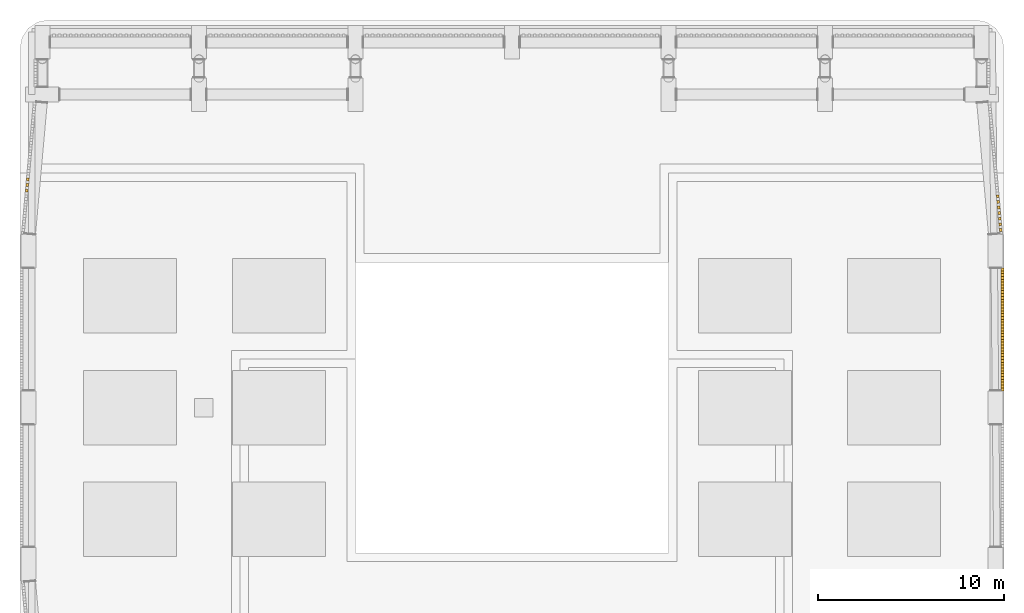
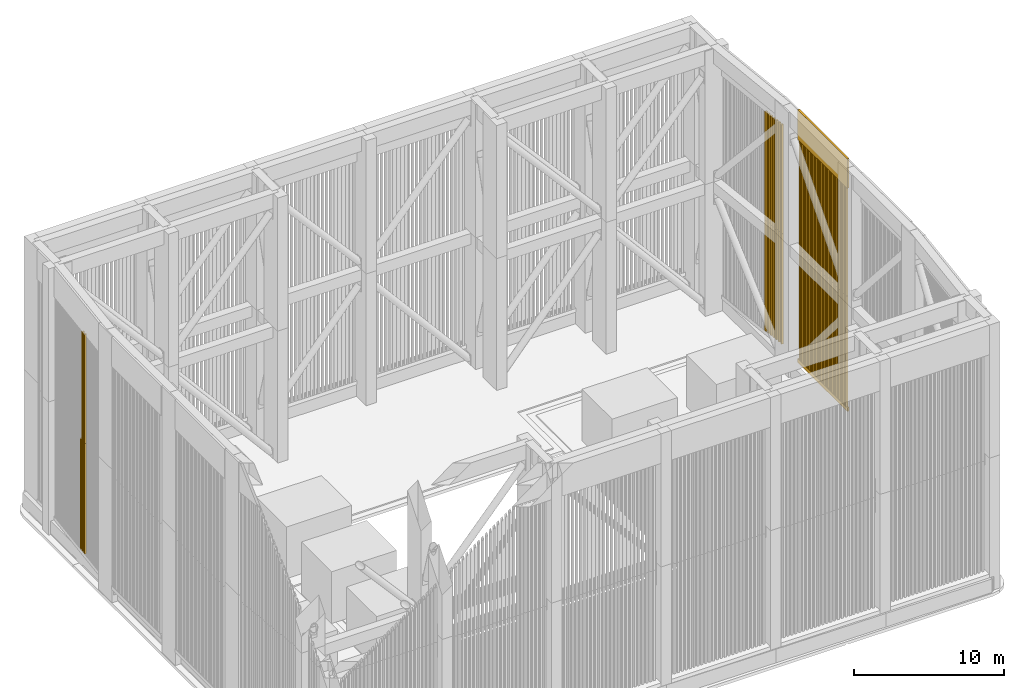
# One storey, part 19 of 27: 61 shading devices, 2 coverings.
"""IFC4 building model written with IfcOpenShell, lengths in metres."""

from ifc_helpers import new_model, si_unit, direction, frame, origin, origin_2d, place, context, subcontext, project, spatial, rectangle, extrude, material, layer, layer_set, type_object, element, save


model = new_model("IFC4")

# Units and contexts
model_context = context("Model", 3, precision=1e-05, world=origin(), true_north=direction((0.0, 1.0)))
body_context = subcontext(model_context, "Body", "Model", "MODEL_VIEW")
ifc_project = project(units=[si_unit("LENGTHUNIT", "METRE"), si_unit("AREAUNIT", "SQUARE_METRE"), si_unit("VOLUMEUNIT", "CUBIC_METRE"), si_unit("PLANEANGLEUNIT", "RADIAN"), si_unit("MASSUNIT", "GRAM", prefix="KILO")], contexts=[model_context])

# Site, building, storey
site_placement = place(None, origin())
site = spatial("IfcSite", under=ifc_project, at=site_placement, CompositionType="ELEMENT")
building_placement = place(site_placement, origin())
building = spatial("IfcBuilding", under=site, at=building_placement, Name="Claustro Exchange Tower", CompositionType="ELEMENT")
storey_placement = place(building_placement, frame((0.0, 0.0, 287.10009765625)))
storey = spatial("IfcBuildingStorey", under=building, at=storey_placement, Name="ROOF", CompositionType="ELEMENT", Elevation=287.10009765625)

# Coverings
ifc_material_1 = material(Name="Concrete HA-40 (C40/50), precast, white cement, acid-etched", Category="concrete")
ifc_layer = layer(ifc_material_1, 0.14990234375)
ifc_layer_set = layer_set([ifc_layer], Name="Concrete HA-40 (C40/50), precast, white cement, acid-etched")
covering_type = type_object("IfcCoveringType", Name="CC1 150 precast concrete crown moulding", PredefinedType="MOLDING", material=ifc_layer_set)
covering_1_placement = place(storey_placement, frame((51.525390625, 29.39990234375, 1.10009765625), z_axis=(0.0, 0.0, 1.0), x_axis=(0.0, 1.0, 0.0)))
element("IfcCovering", 1, at=covering_1_placement, inside=storey, type_object=covering_type, Name="CROWN SILL CC1 7+750/D - 7+750/E", PredefinedType="MOLDING", context=body_context, shape_type="SweptSolid", body=[
    extrude(rectangle(XDim=6.59912109375, YDim=0.14990234375, at=origin_2d()), origin(), (0.0, 0.0, 1.0), 0.300048828125),
])
covering_2_placement = place(storey_placement, frame((51.525390625, 29.39990234375, 19.199951171875), z_axis=(0.0, 0.0, 1.0), x_axis=(0.0, 1.0, 0.0)))
element("IfcCovering", 2, at=covering_2_placement, inside=storey, type_object=covering_type, Name="CROWN CORNICE CC1 7+750/D - 7+750/E", PredefinedType="MOLDING", context=body_context, shape_type="SweptSolid", body=[
    extrude(rectangle(XDim=6.59912109375, YDim=0.14990234375, at=origin_2d()), origin(), (0.0, 0.0, 1.0), 2.39990234375),
])

# Shading devices
ifc_material_2 = material(Name="Concrete HA-40 (C40/50), precast, white cement, acid-etched", Category="concrete")
shading_device_type = type_object("IfcShadingDeviceType", Name="LV1 150 x 150 precast concrete crown louvre", PredefinedType="USERDEFINED", material=ifc_material_2)
shading_device_1_placement = place(storey_placement, frame((-0.83740234375, 36.84423828125, 1.39990234375), z_axis=(0.0, 0.0, 1.0), x_axis=(0.088932542032, 0.996037651381, 0.0)))
element("IfcShadingDevice", 3, at=shading_device_1_placement, inside=storey, type_object=shading_device_type, Name="CROWN LOUVRE LV1 1+-750/E - 1/F 08 lower", ObjectType="CROWN LOUVRE", PredefinedType="USERDEFINED", context=body_context, shape_type="SweptSolid", body=[
    extrude(rectangle(XDim=0.14990234375, YDim=0.14990234375, at=origin_2d()), origin(), (0.0, 0.0, 1.0), 8.949951171875),
])
shading_device_2_placement = place(storey_placement, frame((-0.83740234375, 36.84423828125, 10.349853515625), z_axis=(0.0, 0.0, 1.0), x_axis=(0.088932542032, 0.996037651381, 0.0)))
element("IfcShadingDevice", 4, at=shading_device_2_placement, inside=storey, type_object=shading_device_type, Name="CROWN LOUVRE LV1 1+-750/E - 1/F 08 upper", ObjectType="CROWN LOUVRE", PredefinedType="USERDEFINED", context=body_context, shape_type="SweptSolid", body=[
    extrude(rectangle(XDim=0.14990234375, YDim=0.14990234375, at=origin_2d()), origin(), (0.0, 0.0, 1.0), 8.85009765625),
])
shading_device_3_placement = place(storey_placement, frame((-0.810302734375, 37.1455078125, 1.39990234375), z_axis=(0.0, 0.0, 1.0), x_axis=(0.088932542032, 0.996037651381, 0.0)))
element("IfcShadingDevice", 5, at=shading_device_3_placement, inside=storey, type_object=shading_device_type, Name="CROWN LOUVRE LV1 1+-750/E - 1/F 09 lower", ObjectType="CROWN LOUVRE", PredefinedType="USERDEFINED", context=body_context, shape_type="SweptSolid", body=[
    extrude(rectangle(XDim=0.14990234375, YDim=0.14990234375, at=origin_2d()), origin(), (0.0, 0.0, 1.0), 8.949951171875),
])
shading_device_4_placement = place(storey_placement, frame((-0.810302734375, 37.1455078125, 10.349853515625), z_axis=(0.0, 0.0, 1.0), x_axis=(0.088932542032, 0.996037651381, 0.0)))
element("IfcShadingDevice", 6, at=shading_device_4_placement, inside=storey, type_object=shading_device_type, Name="CROWN LOUVRE LV1 1+-750/E - 1/F 09 upper", ObjectType="CROWN LOUVRE", PredefinedType="USERDEFINED", context=body_context, shape_type="SweptSolid", body=[
    extrude(rectangle(XDim=0.14990234375, YDim=0.14990234375, at=origin_2d()), origin(), (0.0, 0.0, 1.0), 8.85009765625),
])
for number, where, z_axis, x_axis, name in (
    (7, (-0.783447265625, 37.447021484375, 1.39990234375), (0.0, 0.0, 1.0), (0.088932542032, 0.996037651381, 0.0), "CROWN LOUVRE LV1 1+-750/E - 1/F 10 lower"),
    (8, (51.525390625, 26.332275390625, 1.39990234375), (0.0, 0.0, 1.0), (0.0, 1.0, 0.0), "CROWN LOUVRE LV1 7+750/D - 7+750/E 01 lower"),
):
    element("IfcShadingDevice", number, at=place(storey_placement, frame(where, z_axis=z_axis, x_axis=x_axis)), inside=storey, type_object=shading_device_type, Name=name, ObjectType="CROWN LOUVRE", PredefinedType="USERDEFINED", context=body_context, shape_type="SweptSolid", body=[
        extrude(rectangle(XDim=0.14990234375, YDim=0.14990234375, at=origin_2d()), origin(), (0.0, 0.0, 1.0), 8.949951171875),
    ])
shading_device_5_placement = place(storey_placement, frame((51.525390625, 26.332275390625, 10.349853515625), z_axis=(0.0, 0.0, 1.0), x_axis=(0.0, 1.0, 0.0)))
element("IfcShadingDevice", 9, at=shading_device_5_placement, inside=storey, type_object=shading_device_type, Name="CROWN LOUVRE LV1 7+750/D - 7+750/E 01 upper", ObjectType="CROWN LOUVRE", PredefinedType="USERDEFINED", context=body_context, shape_type="SweptSolid", body=[
    extrude(rectangle(XDim=0.14990234375, YDim=0.14990234375, at=origin_2d()), origin(), (0.0, 0.0, 1.0), 8.85009765625),
])
shading_device_6_placement = place(storey_placement, frame((51.525390625, 26.638916015625, 1.39990234375), z_axis=(0.0, 0.0, 1.0), x_axis=(0.0, 1.0, 0.0)))
element("IfcShadingDevice", 10, at=shading_device_6_placement, inside=storey, type_object=shading_device_type, Name="CROWN LOUVRE LV1 7+750/D - 7+750/E 02 lower", ObjectType="CROWN LOUVRE", PredefinedType="USERDEFINED", context=body_context, shape_type="SweptSolid", body=[
    extrude(rectangle(XDim=0.14990234375, YDim=0.14990234375, at=origin_2d()), origin(), (0.0, 0.0, 1.0), 8.949951171875),
])
shading_device_7_placement = place(storey_placement, frame((51.525390625, 26.638916015625, 10.349853515625), z_axis=(0.0, 0.0, 1.0), x_axis=(0.0, 1.0, 0.0)))
element("IfcShadingDevice", 11, at=shading_device_7_placement, inside=storey, type_object=shading_device_type, Name="CROWN LOUVRE LV1 7+750/D - 7+750/E 02 upper", ObjectType="CROWN LOUVRE", PredefinedType="USERDEFINED", context=body_context, shape_type="SweptSolid", body=[
    extrude(rectangle(XDim=0.14990234375, YDim=0.14990234375, at=origin_2d()), origin(), (0.0, 0.0, 1.0), 8.85009765625),
])
shading_device_8_placement = place(storey_placement, frame((51.525390625, 26.94580078125, 1.39990234375), z_axis=(0.0, 0.0, 1.0), x_axis=(0.0, 1.0, 0.0)))
element("IfcShadingDevice", 12, at=shading_device_8_placement, inside=storey, type_object=shading_device_type, Name="CROWN LOUVRE LV1 7+750/D - 7+750/E 03 lower", ObjectType="CROWN LOUVRE", PredefinedType="USERDEFINED", context=body_context, shape_type="SweptSolid", body=[
    extrude(rectangle(XDim=0.14990234375, YDim=0.14990234375, at=origin_2d()), origin(), (0.0, 0.0, 1.0), 8.949951171875),
])
shading_device_9_placement = place(storey_placement, frame((51.525390625, 26.94580078125, 10.349853515625), z_axis=(0.0, 0.0, 1.0), x_axis=(0.0, 1.0, 0.0)))
element("IfcShadingDevice", 13, at=shading_device_9_placement, inside=storey, type_object=shading_device_type, Name="CROWN LOUVRE LV1 7+750/D - 7+750/E 03 upper", ObjectType="CROWN LOUVRE", PredefinedType="USERDEFINED", context=body_context, shape_type="SweptSolid", body=[
    extrude(rectangle(XDim=0.14990234375, YDim=0.14990234375, at=origin_2d()), origin(), (0.0, 0.0, 1.0), 8.85009765625),
])
shading_device_10_placement = place(storey_placement, frame((51.525390625, 27.252685546875, 1.39990234375), z_axis=(0.0, 0.0, 1.0), x_axis=(0.0, 1.0, 0.0)))
element("IfcShadingDevice", 14, at=shading_device_10_placement, inside=storey, type_object=shading_device_type, Name="CROWN LOUVRE LV1 7+750/D - 7+750/E 04 lower", ObjectType="CROWN LOUVRE", PredefinedType="USERDEFINED", context=body_context, shape_type="SweptSolid", body=[
    extrude(rectangle(XDim=0.14990234375, YDim=0.14990234375, at=origin_2d()), origin(), (0.0, 0.0, 1.0), 8.949951171875),
])
shading_device_11_placement = place(storey_placement, frame((51.525390625, 27.252685546875, 10.349853515625), z_axis=(0.0, 0.0, 1.0), x_axis=(0.0, 1.0, 0.0)))
element("IfcShadingDevice", 15, at=shading_device_11_placement, inside=storey, type_object=shading_device_type, Name="CROWN LOUVRE LV1 7+750/D - 7+750/E 04 upper", ObjectType="CROWN LOUVRE", PredefinedType="USERDEFINED", context=body_context, shape_type="SweptSolid", body=[
    extrude(rectangle(XDim=0.14990234375, YDim=0.14990234375, at=origin_2d()), origin(), (0.0, 0.0, 1.0), 8.85009765625),
])
shading_device_12_placement = place(storey_placement, frame((51.525390625, 27.559326171875, 1.39990234375), z_axis=(0.0, 0.0, 1.0), x_axis=(0.0, 1.0, 0.0)))
element("IfcShadingDevice", 16, at=shading_device_12_placement, inside=storey, type_object=shading_device_type, Name="CROWN LOUVRE LV1 7+750/D - 7+750/E 05 lower", ObjectType="CROWN LOUVRE", PredefinedType="USERDEFINED", context=body_context, shape_type="SweptSolid", body=[
    extrude(rectangle(XDim=0.14990234375, YDim=0.14990234375, at=origin_2d()), origin(), (0.0, 0.0, 1.0), 8.949951171875),
])
shading_device_13_placement = place(storey_placement, frame((51.525390625, 27.559326171875, 10.349853515625), z_axis=(0.0, 0.0, 1.0), x_axis=(0.0, 1.0, 0.0)))
element("IfcShadingDevice", 17, at=shading_device_13_placement, inside=storey, type_object=shading_device_type, Name="CROWN LOUVRE LV1 7+750/D - 7+750/E 05 upper", ObjectType="CROWN LOUVRE", PredefinedType="USERDEFINED", context=body_context, shape_type="SweptSolid", body=[
    extrude(rectangle(XDim=0.14990234375, YDim=0.14990234375, at=origin_2d()), origin(), (0.0, 0.0, 1.0), 8.85009765625),
])
shading_device_14_placement = place(storey_placement, frame((51.525390625, 27.8662109375, 1.39990234375), z_axis=(0.0, 0.0, 1.0), x_axis=(0.0, 1.0, 0.0)))
element("IfcShadingDevice", 18, at=shading_device_14_placement, inside=storey, type_object=shading_device_type, Name="CROWN LOUVRE LV1 7+750/D - 7+750/E 06 lower", ObjectType="CROWN LOUVRE", PredefinedType="USERDEFINED", context=body_context, shape_type="SweptSolid", body=[
    extrude(rectangle(XDim=0.14990234375, YDim=0.14990234375, at=origin_2d()), origin(), (0.0, 0.0, 1.0), 8.949951171875),
])
shading_device_15_placement = place(storey_placement, frame((51.525390625, 27.8662109375, 10.349853515625), z_axis=(0.0, 0.0, 1.0), x_axis=(0.0, 1.0, 0.0)))
element("IfcShadingDevice", 19, at=shading_device_15_placement, inside=storey, type_object=shading_device_type, Name="CROWN LOUVRE LV1 7+750/D - 7+750/E 06 upper", ObjectType="CROWN LOUVRE", PredefinedType="USERDEFINED", context=body_context, shape_type="SweptSolid", body=[
    extrude(rectangle(XDim=0.14990234375, YDim=0.14990234375, at=origin_2d()), origin(), (0.0, 0.0, 1.0), 8.85009765625),
])
shading_device_16_placement = place(storey_placement, frame((51.525390625, 28.1728515625, 1.39990234375), z_axis=(0.0, 0.0, 1.0), x_axis=(0.0, 1.0, 0.0)))
element("IfcShadingDevice", 20, at=shading_device_16_placement, inside=storey, type_object=shading_device_type, Name="CROWN LOUVRE LV1 7+750/D - 7+750/E 07 lower", ObjectType="CROWN LOUVRE", PredefinedType="USERDEFINED", context=body_context, shape_type="SweptSolid", body=[
    extrude(rectangle(XDim=0.14990234375, YDim=0.14990234375, at=origin_2d()), origin(), (0.0, 0.0, 1.0), 8.949951171875),
])
shading_device_17_placement = place(storey_placement, frame((51.525390625, 28.1728515625, 10.349853515625), z_axis=(0.0, 0.0, 1.0), x_axis=(0.0, 1.0, 0.0)))
element("IfcShadingDevice", 21, at=shading_device_17_placement, inside=storey, type_object=shading_device_type, Name="CROWN LOUVRE LV1 7+750/D - 7+750/E 07 upper", ObjectType="CROWN LOUVRE", PredefinedType="USERDEFINED", context=body_context, shape_type="SweptSolid", body=[
    extrude(rectangle(XDim=0.14990234375, YDim=0.14990234375, at=origin_2d()), origin(), (0.0, 0.0, 1.0), 8.85009765625),
])
shading_device_18_placement = place(storey_placement, frame((51.525390625, 28.479736328125, 1.39990234375), z_axis=(0.0, 0.0, 1.0), x_axis=(0.0, 1.0, 0.0)))
element("IfcShadingDevice", 22, at=shading_device_18_placement, inside=storey, type_object=shading_device_type, Name="CROWN LOUVRE LV1 7+750/D - 7+750/E 08 lower", ObjectType="CROWN LOUVRE", PredefinedType="USERDEFINED", context=body_context, shape_type="SweptSolid", body=[
    extrude(rectangle(XDim=0.14990234375, YDim=0.14990234375, at=origin_2d()), origin(), (0.0, 0.0, 1.0), 8.949951171875),
])
shading_device_19_placement = place(storey_placement, frame((51.525390625, 28.479736328125, 10.349853515625), z_axis=(0.0, 0.0, 1.0), x_axis=(0.0, 1.0, 0.0)))
element("IfcShadingDevice", 23, at=shading_device_19_placement, inside=storey, type_object=shading_device_type, Name="CROWN LOUVRE LV1 7+750/D - 7+750/E 08 upper", ObjectType="CROWN LOUVRE", PredefinedType="USERDEFINED", context=body_context, shape_type="SweptSolid", body=[
    extrude(rectangle(XDim=0.14990234375, YDim=0.14990234375, at=origin_2d()), origin(), (0.0, 0.0, 1.0), 8.85009765625),
])
shading_device_20_placement = place(storey_placement, frame((51.525390625, 28.78662109375, 1.39990234375), z_axis=(0.0, 0.0, 1.0), x_axis=(0.0, 1.0, 0.0)))
element("IfcShadingDevice", 24, at=shading_device_20_placement, inside=storey, type_object=shading_device_type, Name="CROWN LOUVRE LV1 7+750/D - 7+750/E 09 lower", ObjectType="CROWN LOUVRE", PredefinedType="USERDEFINED", context=body_context, shape_type="SweptSolid", body=[
    extrude(rectangle(XDim=0.14990234375, YDim=0.14990234375, at=origin_2d()), origin(), (0.0, 0.0, 1.0), 8.949951171875),
])
shading_device_21_placement = place(storey_placement, frame((51.525390625, 28.78662109375, 10.349853515625), z_axis=(0.0, 0.0, 1.0), x_axis=(0.0, 1.0, 0.0)))
element("IfcShadingDevice", 25, at=shading_device_21_placement, inside=storey, type_object=shading_device_type, Name="CROWN LOUVRE LV1 7+750/D - 7+750/E 09 upper", ObjectType="CROWN LOUVRE", PredefinedType="USERDEFINED", context=body_context, shape_type="SweptSolid", body=[
    extrude(rectangle(XDim=0.14990234375, YDim=0.14990234375, at=origin_2d()), origin(), (0.0, 0.0, 1.0), 8.85009765625),
])
shading_device_22_placement = place(storey_placement, frame((51.525390625, 29.09326171875, 1.39990234375), z_axis=(0.0, 0.0, 1.0), x_axis=(0.0, 1.0, 0.0)))
element("IfcShadingDevice", 26, at=shading_device_22_placement, inside=storey, type_object=shading_device_type, Name="CROWN LOUVRE LV1 7+750/D - 7+750/E 10 lower", ObjectType="CROWN LOUVRE", PredefinedType="USERDEFINED", context=body_context, shape_type="SweptSolid", body=[
    extrude(rectangle(XDim=0.14990234375, YDim=0.14990234375, at=origin_2d()), origin(), (0.0, 0.0, 1.0), 8.949951171875),
])
shading_device_23_placement = place(storey_placement, frame((51.525390625, 29.09326171875, 10.349853515625), z_axis=(0.0, 0.0, 1.0), x_axis=(0.0, 1.0, 0.0)))
element("IfcShadingDevice", 27, at=shading_device_23_placement, inside=storey, type_object=shading_device_type, Name="CROWN LOUVRE LV1 7+750/D - 7+750/E 10 upper", ObjectType="CROWN LOUVRE", PredefinedType="USERDEFINED", context=body_context, shape_type="SweptSolid", body=[
    extrude(rectangle(XDim=0.14990234375, YDim=0.14990234375, at=origin_2d()), origin(), (0.0, 0.0, 1.0), 8.85009765625),
])
shading_device_24_placement = place(storey_placement, frame((51.525390625, 29.39990234375, 1.39990234375), z_axis=(0.0, 0.0, 1.0), x_axis=(0.0, 1.0, 0.0)))
element("IfcShadingDevice", 28, at=shading_device_24_placement, inside=storey, type_object=shading_device_type, Name="CROWN LOUVRE LV1 7+750/D - 7+750/E 11 lower", ObjectType="CROWN LOUVRE", PredefinedType="USERDEFINED", context=body_context, shape_type="SweptSolid", body=[
    extrude(rectangle(XDim=0.14990234375, YDim=0.14990234375, at=origin_2d()), origin(), (0.0, 0.0, 1.0), 8.949951171875),
])
shading_device_25_placement = place(storey_placement, frame((51.525390625, 29.39990234375, 10.349853515625), z_axis=(0.0, 0.0, 1.0), x_axis=(0.0, 1.0, 0.0)))
element("IfcShadingDevice", 29, at=shading_device_25_placement, inside=storey, type_object=shading_device_type, Name="CROWN LOUVRE LV1 7+750/D - 7+750/E 11 upper", ObjectType="CROWN LOUVRE", PredefinedType="USERDEFINED", context=body_context, shape_type="SweptSolid", body=[
    extrude(rectangle(XDim=0.14990234375, YDim=0.14990234375, at=origin_2d()), origin(), (0.0, 0.0, 1.0), 8.85009765625),
])
shading_device_26_placement = place(storey_placement, frame((51.525390625, 29.706787109375, 1.39990234375), z_axis=(0.0, 0.0, 1.0), x_axis=(0.0, 1.0, 0.0)))
element("IfcShadingDevice", 30, at=shading_device_26_placement, inside=storey, type_object=shading_device_type, Name="CROWN LOUVRE LV1 7+750/D - 7+750/E 12 lower", ObjectType="CROWN LOUVRE", PredefinedType="USERDEFINED", context=body_context, shape_type="SweptSolid", body=[
    extrude(rectangle(XDim=0.14990234375, YDim=0.14990234375, at=origin_2d()), origin(), (0.0, 0.0, 1.0), 8.949951171875),
])
shading_device_27_placement = place(storey_placement, frame((51.525390625, 29.706787109375, 10.349853515625), z_axis=(0.0, 0.0, 1.0), x_axis=(0.0, 1.0, 0.0)))
element("IfcShadingDevice", 31, at=shading_device_27_placement, inside=storey, type_object=shading_device_type, Name="CROWN LOUVRE LV1 7+750/D - 7+750/E 12 upper", ObjectType="CROWN LOUVRE", PredefinedType="USERDEFINED", context=body_context, shape_type="SweptSolid", body=[
    extrude(rectangle(XDim=0.14990234375, YDim=0.14990234375, at=origin_2d()), origin(), (0.0, 0.0, 1.0), 8.85009765625),
])
shading_device_28_placement = place(storey_placement, frame((51.525390625, 30.013427734375, 1.39990234375), z_axis=(0.0, 0.0, 1.0), x_axis=(0.0, 1.0, 0.0)))
element("IfcShadingDevice", 32, at=shading_device_28_placement, inside=storey, type_object=shading_device_type, Name="CROWN LOUVRE LV1 7+750/D - 7+750/E 13 lower", ObjectType="CROWN LOUVRE", PredefinedType="USERDEFINED", context=body_context, shape_type="SweptSolid", body=[
    extrude(rectangle(XDim=0.14990234375, YDim=0.14990234375, at=origin_2d()), origin(), (0.0, 0.0, 1.0), 8.949951171875),
])
shading_device_29_placement = place(storey_placement, frame((51.525390625, 30.013427734375, 10.349853515625), z_axis=(0.0, 0.0, 1.0), x_axis=(0.0, 1.0, 0.0)))
element("IfcShadingDevice", 33, at=shading_device_29_placement, inside=storey, type_object=shading_device_type, Name="CROWN LOUVRE LV1 7+750/D - 7+750/E 13 upper", ObjectType="CROWN LOUVRE", PredefinedType="USERDEFINED", context=body_context, shape_type="SweptSolid", body=[
    extrude(rectangle(XDim=0.14990234375, YDim=0.14990234375, at=origin_2d()), origin(), (0.0, 0.0, 1.0), 8.85009765625),
])
shading_device_30_placement = place(storey_placement, frame((51.525390625, 30.3203125, 1.39990234375), z_axis=(0.0, 0.0, 1.0), x_axis=(0.0, 1.0, 0.0)))
element("IfcShadingDevice", 34, at=shading_device_30_placement, inside=storey, type_object=shading_device_type, Name="CROWN LOUVRE LV1 7+750/D - 7+750/E 14 lower", ObjectType="CROWN LOUVRE", PredefinedType="USERDEFINED", context=body_context, shape_type="SweptSolid", body=[
    extrude(rectangle(XDim=0.14990234375, YDim=0.14990234375, at=origin_2d()), origin(), (0.0, 0.0, 1.0), 8.949951171875),
])
shading_device_31_placement = place(storey_placement, frame((51.525390625, 30.3203125, 10.349853515625), z_axis=(0.0, 0.0, 1.0), x_axis=(0.0, 1.0, 0.0)))
element("IfcShadingDevice", 35, at=shading_device_31_placement, inside=storey, type_object=shading_device_type, Name="CROWN LOUVRE LV1 7+750/D - 7+750/E 14 upper", ObjectType="CROWN LOUVRE", PredefinedType="USERDEFINED", context=body_context, shape_type="SweptSolid", body=[
    extrude(rectangle(XDim=0.14990234375, YDim=0.14990234375, at=origin_2d()), origin(), (0.0, 0.0, 1.0), 8.85009765625),
])
shading_device_32_placement = place(storey_placement, frame((51.525390625, 30.627197265625, 1.39990234375), z_axis=(0.0, 0.0, 1.0), x_axis=(0.0, 1.0, 0.0)))
element("IfcShadingDevice", 36, at=shading_device_32_placement, inside=storey, type_object=shading_device_type, Name="CROWN LOUVRE LV1 7+750/D - 7+750/E 15 lower", ObjectType="CROWN LOUVRE", PredefinedType="USERDEFINED", context=body_context, shape_type="SweptSolid", body=[
    extrude(rectangle(XDim=0.14990234375, YDim=0.14990234375, at=origin_2d()), origin(), (0.0, 0.0, 1.0), 8.949951171875),
])
shading_device_33_placement = place(storey_placement, frame((51.525390625, 30.627197265625, 10.349853515625), z_axis=(0.0, 0.0, 1.0), x_axis=(0.0, 1.0, 0.0)))
element("IfcShadingDevice", 37, at=shading_device_33_placement, inside=storey, type_object=shading_device_type, Name="CROWN LOUVRE LV1 7+750/D - 7+750/E 15 upper", ObjectType="CROWN LOUVRE", PredefinedType="USERDEFINED", context=body_context, shape_type="SweptSolid", body=[
    extrude(rectangle(XDim=0.14990234375, YDim=0.14990234375, at=origin_2d()), origin(), (0.0, 0.0, 1.0), 8.85009765625),
])
shading_device_34_placement = place(storey_placement, frame((51.525390625, 30.933837890625, 1.39990234375), z_axis=(0.0, 0.0, 1.0), x_axis=(0.0, 1.0, 0.0)))
element("IfcShadingDevice", 38, at=shading_device_34_placement, inside=storey, type_object=shading_device_type, Name="CROWN LOUVRE LV1 7+750/D - 7+750/E 16 lower", ObjectType="CROWN LOUVRE", PredefinedType="USERDEFINED", context=body_context, shape_type="SweptSolid", body=[
    extrude(rectangle(XDim=0.14990234375, YDim=0.14990234375, at=origin_2d()), origin(), (0.0, 0.0, 1.0), 8.949951171875),
])
shading_device_35_placement = place(storey_placement, frame((51.525390625, 30.933837890625, 10.349853515625), z_axis=(0.0, 0.0, 1.0), x_axis=(0.0, 1.0, 0.0)))
element("IfcShadingDevice", 39, at=shading_device_35_placement, inside=storey, type_object=shading_device_type, Name="CROWN LOUVRE LV1 7+750/D - 7+750/E 16 upper", ObjectType="CROWN LOUVRE", PredefinedType="USERDEFINED", context=body_context, shape_type="SweptSolid", body=[
    extrude(rectangle(XDim=0.14990234375, YDim=0.14990234375, at=origin_2d()), origin(), (0.0, 0.0, 1.0), 8.85009765625),
])
shading_device_36_placement = place(storey_placement, frame((51.525390625, 31.240478515625, 1.39990234375), z_axis=(0.0, 0.0, 1.0), x_axis=(0.0, 1.0, 0.0)))
element("IfcShadingDevice", 40, at=shading_device_36_placement, inside=storey, type_object=shading_device_type, Name="CROWN LOUVRE LV1 7+750/D - 7+750/E 17 lower", ObjectType="CROWN LOUVRE", PredefinedType="USERDEFINED", context=body_context, shape_type="SweptSolid", body=[
    extrude(rectangle(XDim=0.14990234375, YDim=0.14990234375, at=origin_2d()), origin(), (0.0, 0.0, 1.0), 8.949951171875),
])
shading_device_37_placement = place(storey_placement, frame((51.525390625, 31.240478515625, 10.349853515625), z_axis=(0.0, 0.0, 1.0), x_axis=(0.0, 1.0, 0.0)))
element("IfcShadingDevice", 41, at=shading_device_37_placement, inside=storey, type_object=shading_device_type, Name="CROWN LOUVRE LV1 7+750/D - 7+750/E 17 upper", ObjectType="CROWN LOUVRE", PredefinedType="USERDEFINED", context=body_context, shape_type="SweptSolid", body=[
    extrude(rectangle(XDim=0.14990234375, YDim=0.14990234375, at=origin_2d()), origin(), (0.0, 0.0, 1.0), 8.85009765625),
])
shading_device_38_placement = place(storey_placement, frame((51.525390625, 31.54736328125, 1.39990234375), z_axis=(0.0, 0.0, 1.0), x_axis=(0.0, 1.0, 0.0)))
element("IfcShadingDevice", 42, at=shading_device_38_placement, inside=storey, type_object=shading_device_type, Name="CROWN LOUVRE LV1 7+750/D - 7+750/E 18 lower", ObjectType="CROWN LOUVRE", PredefinedType="USERDEFINED", context=body_context, shape_type="SweptSolid", body=[
    extrude(rectangle(XDim=0.14990234375, YDim=0.14990234375, at=origin_2d()), origin(), (0.0, 0.0, 1.0), 8.949951171875),
])
shading_device_39_placement = place(storey_placement, frame((51.525390625, 31.54736328125, 10.349853515625), z_axis=(0.0, 0.0, 1.0), x_axis=(0.0, 1.0, 0.0)))
element("IfcShadingDevice", 43, at=shading_device_39_placement, inside=storey, type_object=shading_device_type, Name="CROWN LOUVRE LV1 7+750/D - 7+750/E 18 upper", ObjectType="CROWN LOUVRE", PredefinedType="USERDEFINED", context=body_context, shape_type="SweptSolid", body=[
    extrude(rectangle(XDim=0.14990234375, YDim=0.14990234375, at=origin_2d()), origin(), (0.0, 0.0, 1.0), 8.85009765625),
])
shading_device_40_placement = place(storey_placement, frame((51.525390625, 31.854248046875, 1.39990234375), z_axis=(0.0, 0.0, 1.0), x_axis=(0.0, 1.0, 0.0)))
element("IfcShadingDevice", 44, at=shading_device_40_placement, inside=storey, type_object=shading_device_type, Name="CROWN LOUVRE LV1 7+750/D - 7+750/E 19 lower", ObjectType="CROWN LOUVRE", PredefinedType="USERDEFINED", context=body_context, shape_type="SweptSolid", body=[
    extrude(rectangle(XDim=0.14990234375, YDim=0.14990234375, at=origin_2d()), origin(), (0.0, 0.0, 1.0), 8.949951171875),
])
shading_device_41_placement = place(storey_placement, frame((51.525390625, 31.854248046875, 10.349853515625), z_axis=(0.0, 0.0, 1.0), x_axis=(0.0, 1.0, 0.0)))
element("IfcShadingDevice", 45, at=shading_device_41_placement, inside=storey, type_object=shading_device_type, Name="CROWN LOUVRE LV1 7+750/D - 7+750/E 19 upper", ObjectType="CROWN LOUVRE", PredefinedType="USERDEFINED", context=body_context, shape_type="SweptSolid", body=[
    extrude(rectangle(XDim=0.14990234375, YDim=0.14990234375, at=origin_2d()), origin(), (0.0, 0.0, 1.0), 8.85009765625),
])
shading_device_42_placement = place(storey_placement, frame((51.525390625, 32.160888671875, 1.39990234375), z_axis=(0.0, 0.0, 1.0), x_axis=(0.0, 1.0, 0.0)))
element("IfcShadingDevice", 46, at=shading_device_42_placement, inside=storey, type_object=shading_device_type, Name="CROWN LOUVRE LV1 7+750/D - 7+750/E 20 lower", ObjectType="CROWN LOUVRE", PredefinedType="USERDEFINED", context=body_context, shape_type="SweptSolid", body=[
    extrude(rectangle(XDim=0.14990234375, YDim=0.14990234375, at=origin_2d()), origin(), (0.0, 0.0, 1.0), 8.949951171875),
])
shading_device_43_placement = place(storey_placement, frame((51.525390625, 32.160888671875, 10.349853515625), z_axis=(0.0, 0.0, 1.0), x_axis=(0.0, 1.0, 0.0)))
element("IfcShadingDevice", 47, at=shading_device_43_placement, inside=storey, type_object=shading_device_type, Name="CROWN LOUVRE LV1 7+750/D - 7+750/E 20 upper", ObjectType="CROWN LOUVRE", PredefinedType="USERDEFINED", context=body_context, shape_type="SweptSolid", body=[
    extrude(rectangle(XDim=0.14990234375, YDim=0.14990234375, at=origin_2d()), origin(), (0.0, 0.0, 1.0), 8.85009765625),
])
shading_device_44_placement = place(storey_placement, frame((51.525390625, 32.4677734375, 1.39990234375), z_axis=(0.0, 0.0, 1.0), x_axis=(0.0, 1.0, 0.0)))
element("IfcShadingDevice", 48, at=shading_device_44_placement, inside=storey, type_object=shading_device_type, Name="CROWN LOUVRE LV1 7+750/D - 7+750/E 21 lower", ObjectType="CROWN LOUVRE", PredefinedType="USERDEFINED", context=body_context, shape_type="SweptSolid", body=[
    extrude(rectangle(XDim=0.14990234375, YDim=0.14990234375, at=origin_2d()), origin(), (0.0, 0.0, 1.0), 8.949951171875),
])
shading_device_45_placement = place(storey_placement, frame((51.525390625, 32.4677734375, 10.349853515625), z_axis=(0.0, 0.0, 1.0), x_axis=(0.0, 1.0, 0.0)))
element("IfcShadingDevice", 49, at=shading_device_45_placement, inside=storey, type_object=shading_device_type, Name="CROWN LOUVRE LV1 7+750/D - 7+750/E 21 upper", ObjectType="CROWN LOUVRE", PredefinedType="USERDEFINED", context=body_context, shape_type="SweptSolid", body=[
    extrude(rectangle(XDim=0.14990234375, YDim=0.14990234375, at=origin_2d()), origin(), (0.0, 0.0, 1.0), 8.85009765625),
])
shading_device_46_placement = place(storey_placement, frame((51.42578125, 34.73388671875, 1.39990234375), z_axis=(0.0, 0.0, 1.0), x_axis=(-0.088932542032, 0.996037651381, 0.0)))
element("IfcShadingDevice", 50, at=shading_device_46_placement, inside=storey, type_object=shading_device_type, Name="CROWN LOUVRE LV1 7+750/E - 7/F 01 lower", ObjectType="CROWN LOUVRE", PredefinedType="USERDEFINED", context=body_context, shape_type="SweptSolid", body=[
    extrude(rectangle(XDim=0.14990234375, YDim=0.14990234375, at=origin_2d()), origin(), (0.0, 0.0, 1.0), 8.949951171875),
])
shading_device_47_placement = place(storey_placement, frame((51.42578125, 34.73388671875, 10.349853515625), z_axis=(0.0, 0.0, 1.0), x_axis=(-0.088932542032, 0.996037651381, 0.0)))
element("IfcShadingDevice", 51, at=shading_device_47_placement, inside=storey, type_object=shading_device_type, Name="CROWN LOUVRE LV1 7+750/E - 7/F 01 upper", ObjectType="CROWN LOUVRE", PredefinedType="USERDEFINED", context=body_context, shape_type="SweptSolid", body=[
    extrude(rectangle(XDim=0.14990234375, YDim=0.14990234375, at=origin_2d()), origin(), (0.0, 0.0, 1.0), 8.85009765625),
])
shading_device_48_placement = place(storey_placement, frame((51.398681640625, 35.035400390625, 1.39990234375), z_axis=(0.0, 0.0, 1.0), x_axis=(-0.088932542032, 0.996037651381, 0.0)))
element("IfcShadingDevice", 52, at=shading_device_48_placement, inside=storey, type_object=shading_device_type, Name="CROWN LOUVRE LV1 7+750/E - 7/F 02 lower", ObjectType="CROWN LOUVRE", PredefinedType="USERDEFINED", context=body_context, shape_type="SweptSolid", body=[
    extrude(rectangle(XDim=0.14990234375, YDim=0.14990234375, at=origin_2d()), origin(), (0.0, 0.0, 1.0), 8.949951171875),
])
shading_device_49_placement = place(storey_placement, frame((51.398681640625, 35.035400390625, 10.349853515625), z_axis=(0.0, 0.0, 1.0), x_axis=(-0.088932542032, 0.996037651381, 0.0)))
element("IfcShadingDevice", 53, at=shading_device_49_placement, inside=storey, type_object=shading_device_type, Name="CROWN LOUVRE LV1 7+750/E - 7/F 02 upper", ObjectType="CROWN LOUVRE", PredefinedType="USERDEFINED", context=body_context, shape_type="SweptSolid", body=[
    extrude(rectangle(XDim=0.14990234375, YDim=0.14990234375, at=origin_2d()), origin(), (0.0, 0.0, 1.0), 8.85009765625),
])
shading_device_50_placement = place(storey_placement, frame((51.371826171875, 35.3369140625, 1.39990234375), z_axis=(0.0, 0.0, 1.0), x_axis=(-0.088932542032, 0.996037651381, 0.0)))
element("IfcShadingDevice", 54, at=shading_device_50_placement, inside=storey, type_object=shading_device_type, Name="CROWN LOUVRE LV1 7+750/E - 7/F 03 lower", ObjectType="CROWN LOUVRE", PredefinedType="USERDEFINED", context=body_context, shape_type="SweptSolid", body=[
    extrude(rectangle(XDim=0.14990234375, YDim=0.14990234375, at=origin_2d()), origin(), (0.0, 0.0, 1.0), 8.949951171875),
])
shading_device_51_placement = place(storey_placement, frame((51.371826171875, 35.3369140625, 10.349853515625), z_axis=(0.0, 0.0, 1.0), x_axis=(-0.088932542032, 0.996037651381, 0.0)))
element("IfcShadingDevice", 55, at=shading_device_51_placement, inside=storey, type_object=shading_device_type, Name="CROWN LOUVRE LV1 7+750/E - 7/F 03 upper", ObjectType="CROWN LOUVRE", PredefinedType="USERDEFINED", context=body_context, shape_type="SweptSolid", body=[
    extrude(rectangle(XDim=0.14990234375, YDim=0.14990234375, at=origin_2d()), origin(), (0.0, 0.0, 1.0), 8.85009765625),
])
shading_device_52_placement = place(storey_placement, frame((51.344970703125, 35.63818359375, 1.39990234375), z_axis=(0.0, 0.0, 1.0), x_axis=(-0.088932542032, 0.996037651381, 0.0)))
element("IfcShadingDevice", 56, at=shading_device_52_placement, inside=storey, type_object=shading_device_type, Name="CROWN LOUVRE LV1 7+750/E - 7/F 04 lower", ObjectType="CROWN LOUVRE", PredefinedType="USERDEFINED", context=body_context, shape_type="SweptSolid", body=[
    extrude(rectangle(XDim=0.14990234375, YDim=0.14990234375, at=origin_2d()), origin(), (0.0, 0.0, 1.0), 8.949951171875),
])
shading_device_53_placement = place(storey_placement, frame((51.344970703125, 35.63818359375, 10.349853515625), z_axis=(0.0, 0.0, 1.0), x_axis=(-0.088932542032, 0.996037651381, 0.0)))
element("IfcShadingDevice", 57, at=shading_device_53_placement, inside=storey, type_object=shading_device_type, Name="CROWN LOUVRE LV1 7+750/E - 7/F 04 upper", ObjectType="CROWN LOUVRE", PredefinedType="USERDEFINED", context=body_context, shape_type="SweptSolid", body=[
    extrude(rectangle(XDim=0.14990234375, YDim=0.14990234375, at=origin_2d()), origin(), (0.0, 0.0, 1.0), 8.85009765625),
])
shading_device_54_placement = place(storey_placement, frame((51.318115234375, 35.939697265625, 1.39990234375), z_axis=(0.0, 0.0, 1.0), x_axis=(-0.088932542032, 0.996037651381, 0.0)))
element("IfcShadingDevice", 58, at=shading_device_54_placement, inside=storey, type_object=shading_device_type, Name="CROWN LOUVRE LV1 7+750/E - 7/F 05 lower", ObjectType="CROWN LOUVRE", PredefinedType="USERDEFINED", context=body_context, shape_type="SweptSolid", body=[
    extrude(rectangle(XDim=0.14990234375, YDim=0.14990234375, at=origin_2d()), origin(), (0.0, 0.0, 1.0), 8.949951171875),
])
shading_device_55_placement = place(storey_placement, frame((51.318115234375, 35.939697265625, 10.349853515625), z_axis=(0.0, 0.0, 1.0), x_axis=(-0.088932542032, 0.996037651381, 0.0)))
element("IfcShadingDevice", 59, at=shading_device_55_placement, inside=storey, type_object=shading_device_type, Name="CROWN LOUVRE LV1 7+750/E - 7/F 05 upper", ObjectType="CROWN LOUVRE", PredefinedType="USERDEFINED", context=body_context, shape_type="SweptSolid", body=[
    extrude(rectangle(XDim=0.14990234375, YDim=0.14990234375, at=origin_2d()), origin(), (0.0, 0.0, 1.0), 8.85009765625),
])
shading_device_56_placement = place(storey_placement, frame((51.291259765625, 36.2412109375, 1.39990234375), z_axis=(0.0, 0.0, 1.0), x_axis=(-0.088932542032, 0.996037651381, 0.0)))
element("IfcShadingDevice", 60, at=shading_device_56_placement, inside=storey, type_object=shading_device_type, Name="CROWN LOUVRE LV1 7+750/E - 7/F 06 lower", ObjectType="CROWN LOUVRE", PredefinedType="USERDEFINED", context=body_context, shape_type="SweptSolid", body=[
    extrude(rectangle(XDim=0.14990234375, YDim=0.14990234375, at=origin_2d()), origin(), (0.0, 0.0, 1.0), 8.949951171875),
])
shading_device_57_placement = place(storey_placement, frame((51.291259765625, 36.2412109375, 10.349853515625), z_axis=(0.0, 0.0, 1.0), x_axis=(-0.088932542032, 0.996037651381, 0.0)))
element("IfcShadingDevice", 61, at=shading_device_57_placement, inside=storey, type_object=shading_device_type, Name="CROWN LOUVRE LV1 7+750/E - 7/F 06 upper", ObjectType="CROWN LOUVRE", PredefinedType="USERDEFINED", context=body_context, shape_type="SweptSolid", body=[
    extrude(rectangle(XDim=0.14990234375, YDim=0.14990234375, at=origin_2d()), origin(), (0.0, 0.0, 1.0), 8.85009765625),
])
shading_device_58_placement = place(storey_placement, frame((51.264404296875, 36.542724609375, 1.39990234375), z_axis=(0.0, 0.0, 1.0), x_axis=(-0.088932542032, 0.996037651381, 0.0)))
element("IfcShadingDevice", 62, at=shading_device_58_placement, inside=storey, type_object=shading_device_type, Name="CROWN LOUVRE LV1 7+750/E - 7/F 07 lower", ObjectType="CROWN LOUVRE", PredefinedType="USERDEFINED", context=body_context, shape_type="SweptSolid", body=[
    extrude(rectangle(XDim=0.14990234375, YDim=0.14990234375, at=origin_2d()), origin(), (0.0, 0.0, 1.0), 8.949951171875),
])
shading_device_59_placement = place(storey_placement, frame((51.264404296875, 36.542724609375, 10.349853515625), z_axis=(0.0, 0.0, 1.0), x_axis=(-0.088932542032, 0.996037651381, 0.0)))
element("IfcShadingDevice", 63, at=shading_device_59_placement, inside=storey, type_object=shading_device_type, Name="CROWN LOUVRE LV1 7+750/E - 7/F 07 upper", ObjectType="CROWN LOUVRE", PredefinedType="USERDEFINED", context=body_context, shape_type="SweptSolid", body=[
    extrude(rectangle(XDim=0.14990234375, YDim=0.14990234375, at=origin_2d()), origin(), (0.0, 0.0, 1.0), 8.85009765625),
])

save(model, "model.ifc")
